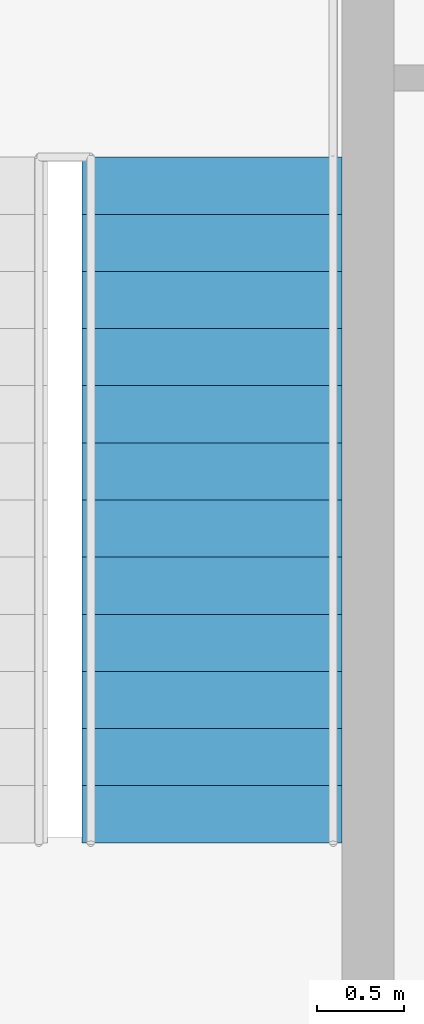
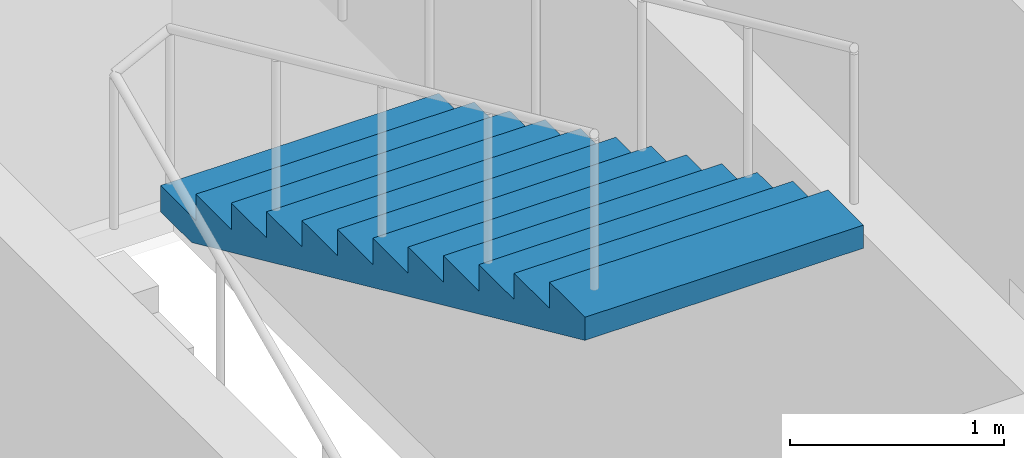
# One storey, part 9 of 10: 1 stair flight, 1 element without a shape of its own.
"""IFC4 building model written with IfcOpenShell, lengths in metres."""

from ifc_helpers import new_model, si_unit, direction, frame, origin, place, context, subcontext, project, spatial, polygons, material, type_object, element, aggregate, save


model = new_model("IFC4")

# Units and contexts
model_context = context("Model", 3, precision=1e-05, world=origin(), true_north=direction((0.0, 1.0)))
body_context = subcontext(model_context, "Body", "Model", "MODEL_VIEW")
ifc_project = project(units=[si_unit("LENGTHUNIT", "METRE"), si_unit("AREAUNIT", "SQUARE_METRE"), si_unit("VOLUMEUNIT", "CUBIC_METRE"), si_unit("PLANEANGLEUNIT", "RADIAN"), si_unit("MASSUNIT", "GRAM", prefix="KILO")], contexts=[model_context])

# Site, building, storey
site_placement = place(None, origin())
site = spatial("IfcSite", under=ifc_project, at=site_placement, CompositionType="ELEMENT")
building_placement = place(site_placement, origin())
building = spatial("IfcBuilding", under=site, at=building_placement, Name="Njiva Tower", CompositionType="ELEMENT")
storey_placement = place(building_placement, frame((0.0, 0.0, 235.5)))
storey = spatial("IfcBuildingStorey", under=building, at=storey_placement, Name="L53", CompositionType="ELEMENT", Elevation=235.5)

# Stair, stair flight
ifc_material = material(Name="Concrete C40/50", Category="concrete")
stair_type = type_object("IfcStairType", Name="ST4 Exit stair 1500", PredefinedType="HALF_TURN_STAIR", material=ifc_material)
stair_placement = place(storey_placement, origin())
stair = element("IfcStair", 1, at=stair_placement, inside=storey, type_object=stair_type, Name="Stair B", PredefinedType="HALF_TURN_STAIR")
stair_flight_type = type_object("IfcStairFlightType", Name="FL4 Stair flight 1500", PredefinedType="STRAIGHT", material=ifc_material)
stair_flight_placement = place(storey_placement, frame((13.45, 15.06, 1.95), z_axis=(0.0, 0.0, 1.0), x_axis=(0.0, -1.0, 0.0)))
stair_flight = element("IfcStairFlight", 2, at=stair_flight_placement, type_object=stair_flight_type, Name="ST-B flight 2", NumberOfRisers=13, NumberOfTreads=12, PredefinedType="STRAIGHT", RiserHeight=0.15, TreadLength=0.33, context=body_context, shape_type="Tessellation", body=[
    polygons([(0.0, 0.75, 0.0), (0.0, 0.375, 0.0), (0.0, 0.0, 0.0), (0.0, -0.375, 0.0), (0.0, -0.75, 0.0), (0.0, 0.75, 0.15), (0.0, 0.375, 0.15), (0.0, 0.0, 0.15), (0.0, -0.375, 0.15), (0.0, -0.75, 0.15), (0.33, 0.75, 0.15), (0.33, 0.375, 0.15), (0.33, 0.0, 0.15), (0.33, -0.375, 0.15), (0.33, -0.75, 0.15), (0.33, 0.75, 0.3), (0.33, 0.375, 0.3), (0.33, 0.0, 0.3), (0.33, -0.375, 0.3), (0.33, -0.75, 0.3), (0.66, 0.75, 0.3), (0.66, 0.375, 0.3), (0.66, 0.0, 0.3), (0.66, -0.375, 0.3), (0.66, -0.75, 0.3), (0.66, 0.75, 0.45), (0.66, 0.375, 0.45), (0.66, 0.0, 0.45), (0.66, -0.375, 0.45), (0.66, -0.75, 0.45), (0.99, 0.75, 0.45), (0.99, 0.375, 0.45), (0.99, 0.0, 0.45), (0.99, -0.375, 0.45), (0.99, -0.75, 0.45), (0.99, 0.75, 0.6), (0.99, 0.375, 0.6), (0.99, 0.0, 0.6), (0.99, -0.375, 0.6), (0.99, -0.75, 0.6), (1.32, 0.75, 0.6), (1.32, 0.375, 0.6), (1.32, 0.0, 0.6), (1.32, -0.375, 0.6), (1.32, -0.75, 0.6), (1.32, 0.75, 0.75), (1.32, 0.375, 0.75), (1.32, 0.0, 0.75), (1.32, -0.375, 0.75), (1.32, -0.75, 0.75), (1.65, 0.75, 0.75), (1.65, 0.375, 0.75), (1.65, 0.0, 0.75), (1.65, -0.375, 0.75), (1.65, -0.75, 0.75), (1.65, 0.75, 0.9), (1.65, 0.375, 0.9), (1.65, 0.0, 0.9), (1.65, -0.375, 0.9), (1.65, -0.75, 0.9), (1.98, 0.75, 0.9), (1.98, 0.375, 0.9), (1.98, 0.0, 0.9), (1.98, -0.375, 0.9), (1.98, -0.75, 0.9), (1.98, 0.75, 1.05), (1.98, 0.375, 1.05), (1.98, 0.0, 1.05), (1.98, -0.375, 1.05), (1.98, -0.75, 1.05), (2.31, 0.75, 1.05), (2.31, 0.375, 1.05), (2.31, 0.0, 1.05), (2.31, -0.375, 1.05), (2.31, -0.75, 1.05), (2.31, 0.75, 1.2), (2.31, 0.375, 1.2), (2.31, 0.0, 1.2), (2.31, -0.375, 1.2), (2.31, -0.75, 1.2), (2.64, 0.75, 1.2), (2.64, 0.375, 1.2), (2.64, 0.0, 1.2), (2.64, -0.375, 1.2), (2.64, -0.75, 1.2), (2.64, 0.75, 1.35), (2.64, 0.375, 1.35), (2.64, 0.0, 1.35), (2.64, -0.375, 1.35), (2.64, -0.75, 1.35), (2.97, 0.75, 1.35), (2.97, 0.375, 1.35), (2.97, 0.0, 1.35), (2.97, -0.375, 1.35), (2.97, -0.75, 1.35), (2.97, 0.75, 1.5), (2.97, 0.375, 1.5), (2.97, 0.0, 1.5), (2.97, -0.375, 1.5), (2.97, -0.75, 1.5), (3.3, 0.75, 1.5), (3.3, 0.375, 1.5), (3.3, 0.0, 1.5), (3.3, -0.375, 1.5), (3.3, -0.75, 1.5), (3.3, 0.75, 1.65), (3.3, 0.375, 1.65), (3.3, 0.0, 1.65), (3.3, -0.375, 1.65), (3.3, -0.75, 1.65), (3.63, 0.75, 1.65), (3.63, 0.375, 1.65), (3.63, 0.0, 1.65), (3.63, -0.375, 1.65), (3.63, -0.75, 1.65), (3.63, 0.75, 1.8), (3.63, 0.375, 1.8), (3.63, 0.0, 1.8), (3.63, -0.375, 1.8), (3.63, -0.75, 1.8), (3.96, 0.75, 1.8), (3.96, 0.375, 1.8), (3.96, 0.0, 1.8), (3.96, -0.375, 1.8), (3.96, -0.75, 1.8), (3.96, 0.75, 1.6682), (3.96, 0.375, 1.6682), (3.96, 0.0, 1.6682), (3.96, -0.375, 1.6682), (3.96, -0.75, 1.6682), (0.29, 0.75, 0.0), (0.29, 0.375, 0.0), (0.29, 0.0, 0.0), (0.29, -0.375, 0.0), (0.29, -0.75, 0.0)], [[[1, 6, 11, 16, 21, 26, 31, 36, 41, 46, 51, 56, 61, 66, 71, 76, 81, 86, 91, 96, 101, 106, 111, 116, 121, 126, 131]], [[135, 130, 125, 120, 115, 110, 105, 100, 95, 90, 85, 80, 75, 70, 65, 60, 55, 50, 45, 40, 35, 30, 25, 20, 15, 10, 5]], [[6, 1, 2, 7]], [[7, 2, 3, 8]], [[8, 3, 4, 9]], [[9, 4, 5, 10]], [[11, 6, 7, 12]], [[12, 7, 8, 13]], [[13, 8, 9, 14]], [[14, 9, 10, 15]], [[16, 11, 12, 17]], [[17, 12, 13, 18]], [[18, 13, 14, 19]], [[19, 14, 15, 20]], [[21, 16, 17, 22]], [[22, 17, 18, 23]], [[23, 18, 19, 24]], [[24, 19, 20, 25]], [[26, 21, 22, 27]], [[27, 22, 23, 28]], [[28, 23, 24, 29]], [[29, 24, 25, 30]], [[31, 26, 27, 32]], [[32, 27, 28, 33]], [[33, 28, 29, 34]], [[34, 29, 30, 35]], [[36, 31, 32, 37]], [[37, 32, 33, 38]], [[38, 33, 34, 39]], [[39, 34, 35, 40]], [[41, 36, 37, 42]], [[42, 37, 38, 43]], [[43, 38, 39, 44]], [[44, 39, 40, 45]], [[46, 41, 42, 47]], [[47, 42, 43, 48]], [[48, 43, 44, 49]], [[49, 44, 45, 50]], [[51, 46, 47, 52]], [[52, 47, 48, 53]], [[53, 48, 49, 54]], [[54, 49, 50, 55]], [[56, 51, 52, 57]], [[57, 52, 53, 58]], [[58, 53, 54, 59]], [[59, 54, 55, 60]], [[61, 56, 57, 62]], [[62, 57, 58, 63]], [[63, 58, 59, 64]], [[64, 59, 60, 65]], [[66, 61, 62, 67]], [[67, 62, 63, 68]], [[68, 63, 64, 69]], [[69, 64, 65, 70]], [[71, 66, 67, 72]], [[72, 67, 68, 73]], [[73, 68, 69, 74]], [[74, 69, 70, 75]], [[76, 71, 72, 77]], [[77, 72, 73, 78]], [[78, 73, 74, 79]], [[79, 74, 75, 80]], [[81, 76, 77, 82]], [[82, 77, 78, 83]], [[83, 78, 79, 84]], [[84, 79, 80, 85]], [[86, 81, 82, 87]], [[87, 82, 83, 88]], [[88, 83, 84, 89]], [[89, 84, 85, 90]], [[91, 86, 87, 92]], [[92, 87, 88, 93]], [[93, 88, 89, 94]], [[94, 89, 90, 95]], [[96, 91, 92, 97]], [[97, 92, 93, 98]], [[98, 93, 94, 99]], [[99, 94, 95, 100]], [[101, 96, 97, 102]], [[102, 97, 98, 103]], [[103, 98, 99, 104]], [[104, 99, 100, 105]], [[106, 101, 102, 107]], [[107, 102, 103, 108]], [[108, 103, 104, 109]], [[109, 104, 105, 110]], [[111, 106, 107, 112]], [[112, 107, 108, 113]], [[113, 108, 109, 114]], [[114, 109, 110, 115]], [[116, 111, 112, 117]], [[117, 112, 113, 118]], [[118, 113, 114, 119]], [[119, 114, 115, 120]], [[121, 116, 117, 122]], [[122, 117, 118, 123]], [[123, 118, 119, 124]], [[124, 119, 120, 125]], [[126, 121, 122, 127]], [[127, 122, 123, 128]], [[128, 123, 124, 129]], [[129, 124, 125, 130]], [[131, 126, 127, 132]], [[132, 127, 128, 133]], [[133, 128, 129, 134]], [[134, 129, 130, 135]], [[1, 131, 132, 2]], [[2, 132, 133, 3]], [[3, 133, 134, 4]], [[4, 134, 135, 5]]], closed=True),
])
aggregate(stair, [stair_flight])

save(model, "model.ifc")
